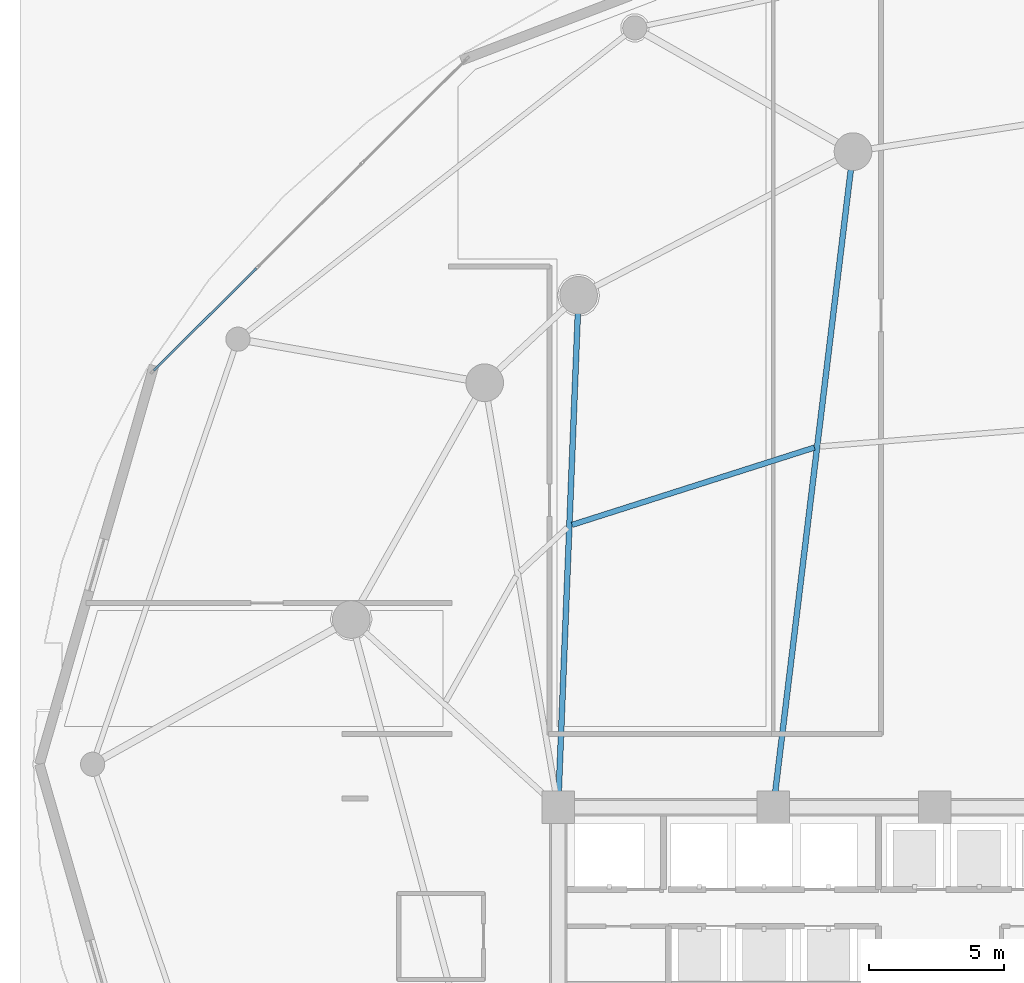
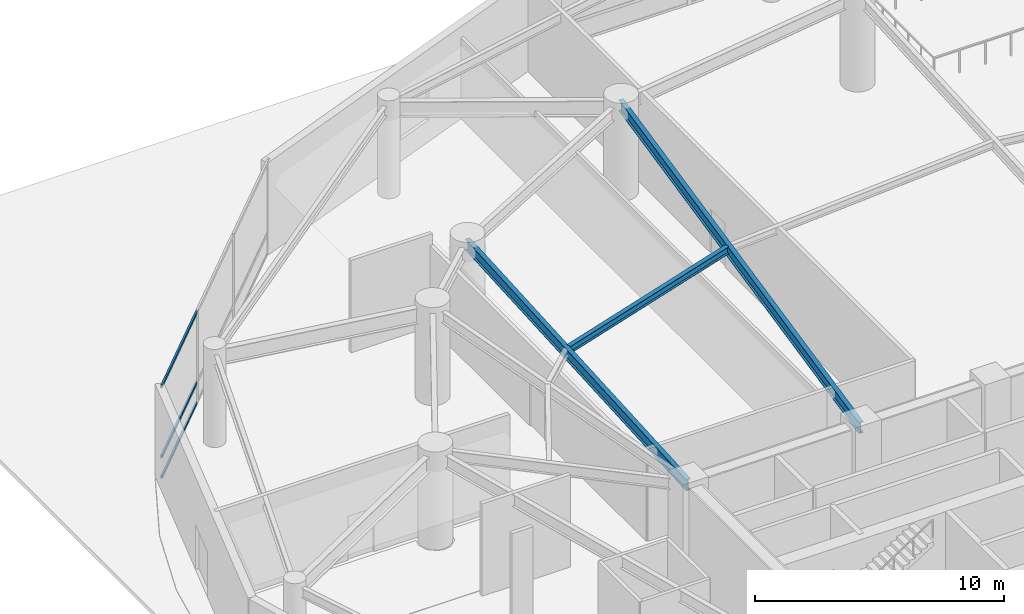
# One storey, part 7 of 35: 3 beams, 3 members, 1 element without a shape of its own.
"""IFC4 building model written with IfcOpenShell, lengths in metres."""

import ifcopenshell
import ifcopenshell.guid

model = None  # the IFC model being written
_history = None  # IfcOwnerHistory: only IFC2X3 demands one
_inside = {}  # id of a spatial element -> (the spatial element, [elements in it])
_under = {}  # id of a project, library or spatial element -> (it, [spatial elements below it])
_declared = {}  # id of a project -> (the project, [libraries it declares])
_typed = {}  # id of a type object -> (the type object, [elements of that type])
_made_of = {}  # id of a material, layer set ... -> (it, [elements and type objects made of it])


def new_model(schema):
    """Start an empty IFC model of exactly this schema.

    Asked for "IFC4X3", IfcOpenShell would pick the latest addendum, in which some entities
    have other attributes; the version numbers below select the first issue.
    IFC2X3 requires an IfcOwnerHistory on every rooted entity: one is made here for all.
    """
    global model, _history
    if schema == "IFC4X3":
        model = ifcopenshell.file(schema_version=(4, 3, 0, 0))
    else:
        model = ifcopenshell.file(schema=schema)
    _inside.clear()
    _under.clear()
    _declared.clear()
    _typed.clear()
    _made_of.clear()
    _history = None
    if model.schema == "IFC2X3":
        org = make("IfcOrganization", Name="unknown")
        user = make(
            "IfcPersonAndOrganization",
            ThePerson=make("IfcPerson", FamilyName="unknown"),
            TheOrganization=org,
        )
        app = make(
            "IfcApplication",
            ApplicationDeveloper=org,
            Version="unknown",
            ApplicationFullName="unknown",
            ApplicationIdentifier="unknown",
        )
        _history = make(
            "IfcOwnerHistory",
            OwningUser=user,
            OwningApplication=app,
            ChangeAction="ADDED",
            CreationDate=0,
        )
    return model


def make(cls, **values):
    """One entity of the class cls with the attributes given. An attribute that is None is left unset."""
    return model.create_entity(
        cls, **{name: value for name, value in values.items() if value is not None}
    )


def rooted(cls, **values):
    """An entity with a GlobalId (a new one), such as an element, a storey or a relation."""
    return make(cls, GlobalId=ifcopenshell.guid.new(), OwnerHistory=_history, **values)


def si_unit(unit_type, name, prefix=None):
    """IfcSIUnit, for example si_unit("LENGTHUNIT", "METRE", prefix="MILLI")."""
    return make("IfcSIUnit", UnitType=unit_type, Prefix=prefix, Name=name)


def assignment(units):
    """IfcUnitAssignment: the units of a project."""
    return None if units is None else make("IfcUnitAssignment", Units=units)


def point(xyz):
    """IfcCartesianPoint."""
    return None if xyz is None else make("IfcCartesianPoint", Coordinates=xyz)


def direction(xyz):
    """IfcDirection."""
    return None if xyz is None else make("IfcDirection", DirectionRatios=xyz)


def frame(location, z_axis=None, x_axis=None):
    """IfcAxis2Placement3D, a coordinate frame: its origin and axes. An axis left out is left unset."""
    return make(
        "IfcAxis2Placement3D",
        Location=point(location),
        Axis=direction(z_axis),
        RefDirection=direction(x_axis),
    )


def frame_2d(location, x_axis=None):
    """IfcAxis2Placement2D, a coordinate frame in the plane: its origin and x axis."""
    return make(
        "IfcAxis2Placement2D", Location=point(location), RefDirection=direction(x_axis)
    )


def origin():
    """The frame at (0, 0, 0) with its axes left unset."""
    return frame((0.0, 0.0, 0.0))


def origin_2d():
    """The frame at (0, 0) in the plane with its x axis left unset."""
    return frame_2d((0.0, 0.0))


def place(relative_to, where):
    """IfcLocalPlacement: puts the frame where relative to a parent placement (None: the world)."""
    return make(
        "IfcLocalPlacement", PlacementRelTo=relative_to, RelativePlacement=where
    )


def context(
    kind, dimensions, precision=None, world=None, true_north=None, identifier=None
):
    """IfcGeometricRepresentationContext, for example the 3D "Model" context."""
    return make(
        "IfcGeometricRepresentationContext",
        ContextIdentifier=identifier,
        ContextType=kind,
        CoordinateSpaceDimension=dimensions,
        Precision=precision,
        WorldCoordinateSystem=world,
        TrueNorth=true_north,
    )


def subcontext(parent, identifier, kind, view, scale=None):
    """IfcGeometricRepresentationSubContext, for example "Body" below "Model"."""
    return make(
        "IfcGeometricRepresentationSubContext",
        ContextIdentifier=identifier,
        ContextType=kind,
        ParentContext=parent,
        TargetScale=scale,
        TargetView=view,
    )


def project(units=None, contexts=None):
    """IfcProject with its units and contexts."""
    return rooted(
        "IfcProject",
        Name="project",
        RepresentationContexts=contexts,
        UnitsInContext=assignment(units),
    )


def spatial(cls, under=None, at=None, **own):
    """A site, building, storey or space (cls), placed at a placement, below another one or the project."""
    s = rooted(cls, ObjectPlacement=at, **own)
    if under is not None:
        _under.setdefault(under.id(), (under, []))[1].append(s)
    return s


def profile(cls, at=None, kind="AREA", **sizes):
    """A parametric profile (cls). Its sizes go by their IFC names, for example OverallWidth=200.0."""
    return make(cls, ProfileType=kind, Position=at, **sizes)


def hollow_rectangle(**sizes):
    """IfcRectangleHollowProfileDef."""
    return profile("IfcRectangleHollowProfileDef", **sizes)


def i_section(**sizes):
    """IfcIShapeProfileDef."""
    return profile("IfcIShapeProfileDef", **sizes)


def extrude(swept, where, along, depth):
    """IfcExtrudedAreaSolid: the profile swept, set in the frame where, extruded along a direction by depth."""
    return make(
        "IfcExtrudedAreaSolid",
        SweptArea=swept,
        Position=where,
        ExtrudedDirection=direction(along),
        Depth=depth,
    )


def shape(context_of_items, identifier, shape_type, items):
    """IfcShapeRepresentation: the items that make up one representation, for example the "Body"."""
    return make(
        "IfcShapeRepresentation",
        ContextOfItems=context_of_items,
        RepresentationIdentifier=identifier,
        RepresentationType=shape_type,
        Items=items,
    )


def material(Name=None, Category=None):
    """IfcMaterial."""
    return make("IfcMaterial", Name=Name, Category=Category)


def layer(
    of_material, thickness, ventilated=None, Name=None, Category=None, Priority=None
):
    """IfcMaterialLayer: one layer of a wall or slab, of a material (None: an air gap)."""
    return make(
        "IfcMaterialLayer",
        Material=of_material,
        LayerThickness=thickness,
        IsVentilated=ventilated,
        Name=Name,
        Category=Category,
        Priority=Priority,
    )


def layer_set(layers, Name=None):
    """IfcMaterialLayerSet."""
    return make("IfcMaterialLayerSet", MaterialLayers=layers, LayerSetName=Name)


def material_profile(
    of_material, cross_section, Name=None, Category=None, Priority=None
):
    """IfcMaterialProfile: a cross section and its material."""
    return make(
        "IfcMaterialProfile",
        Name=Name,
        Material=of_material,
        Profile=cross_section,
        Priority=Priority,
        Category=Category,
    )


def profile_set(profiles, Name=None, composite=None):
    """IfcMaterialProfileSet."""
    return make(
        "IfcMaterialProfileSet",
        Name=Name,
        MaterialProfiles=profiles,
        CompositeProfile=composite,
    )


def made_of(thing, what):
    """Note that an element or type object is made of a material, layer set ...; save() writes the relation."""
    if what is not None:
        _made_of.setdefault(what.id(), (what, []))[1].append(thing)
    return thing


def type_object(cls, material=None, **own):
    """A type object (cls), such as IfcWallType, which elements share."""
    return made_of(rooted(cls, **own), material)


def element(
    cls,
    number,
    at=None,
    inside=None,
    cuts=None,
    type_object=None,
    material=None,
    context=None,
    identifier="Body",
    shape_type=None,
    held_by="IfcProductDefinitionShape",
    body=None,
    shapes=None,
    **own,
):
    """One element of the class cls, such as IfcWall. Its Tag is "e" and its number.

    at: its placement. inside: the storey or other place that contains it. cuts: it is an
    opening in that element (IfcRelVoidsElement). A single representation is given by context,
    identifier, shape_type and body (its items); several are given by shapes. held_by: the class
    of the entity that holds the representations. save() writes the other relations.
    """
    e = rooted(cls, Tag="e%d" % number, ObjectPlacement=at, **own)
    if body is not None:
        shapes = [shape(context, identifier, shape_type, body)]
    if shapes is not None:
        e.Representation = make(held_by, Representations=shapes)
    if inside is not None:
        _inside.setdefault(inside.id(), (inside, []))[1].append(e)
    if cuts is not None:
        rooted(
            "IfcRelVoidsElement", RelatingBuildingElement=cuts, RelatedOpeningElement=e
        )
    if type_object is not None:
        _typed.setdefault(type_object.id(), (type_object, []))[1].append(e)
    return made_of(e, material)


def aggregate(whole, parts):
    """IfcRelAggregates: a whole, such as a stair, and the parts it consists of."""
    return rooted("IfcRelAggregates", RelatingObject=whole, RelatedObjects=parts)


def save(model, path):
    """Write the relations noted so far, then the file.

    IfcRelAggregates (storeys below a building ...), IfcRelContainedInSpatialStructure (elements
    in a storey), IfcRelDefinesByType, IfcRelAssociatesMaterial and IfcRelDeclares: one each for
    every whole, place, type object, material and project.
    """
    for whole, parts in _under.values():
        aggregate(whole, parts)
    for where, things in _inside.values():
        rooted(
            "IfcRelContainedInSpatialStructure",
            RelatedElements=things,
            RelatingStructure=where,
        )
    for kind, things in _typed.values():
        rooted("IfcRelDefinesByType", RelatedObjects=things, RelatingType=kind)
    for what, things in _made_of.values():
        rooted("IfcRelAssociatesMaterial", RelatedObjects=things, RelatingMaterial=what)
    for by, libraries in _declared.values():
        rooted("IfcRelDeclares", RelatingContext=by, RelatedDefinitions=libraries)
    model.write(path)


model = new_model("IFC4")

# Units and contexts
model_context = context("Model", 3, precision=1e-05, world=origin(), true_north=direction((0.0, 1.0)))
body_context = subcontext(model_context, "Body", "Model", "MODEL_VIEW")
ifc_project = project(units=[si_unit("LENGTHUNIT", "METRE"), si_unit("AREAUNIT", "SQUARE_METRE"), si_unit("VOLUMEUNIT", "CUBIC_METRE"), si_unit("PLANEANGLEUNIT", "RADIAN"), si_unit("MASSUNIT", "GRAM", prefix="KILO")], contexts=[model_context])

# Site, building, storey
site_placement = place(None, origin())
site = spatial("IfcSite", under=ifc_project, at=site_placement, CompositionType="ELEMENT")
building_placement = place(site_placement, origin())
building = spatial("IfcBuilding", under=site, at=building_placement, Name="Kazevale Care Tower and Concert Hall", CompositionType="ELEMENT")
storey_placement = place(building_placement, origin())
storey = spatial("IfcBuildingStorey", under=building, at=storey_placement, Name="L00", CompositionType="ELEMENT", Elevation=0.0)

# Curtain wall, members
ifc_material_1 = material(Name="Aluminium 6063-T6 and Low-E Glass", Category="aluminium")
ifc_layer = layer(ifc_material_1, 0.179931640625)
ifc_layer_set = layer_set([ifc_layer], Name="Aluminium 6063-T6 and Low-E Glass")
curtain_wall_type = type_object("IfcCurtainWallType", Name="Podium Double-Skin Medical Curtain Wall CW-1", PredefinedType="NOTDEFINED", material=ifc_layer_set)
curtain_wall_placement = place(storey_placement, origin())
curtain_wall = element("IfcCurtainWall", 1, at=curtain_wall_placement, inside=storey, type_object=curtain_wall_type, Name="cw:L00:pod:06", PredefinedType="NOTDEFINED")
ifc_material_2 = material(Name="Aluminium 6063-T6", Category="aluminium")
ifc_material_profile_1 = material_profile(ifc_material_2, hollow_rectangle(XDim=0.080078125, YDim=0.139892578125, WallThickness=0.00390625, at=origin_2d()), Name="ALU80x140x4")
ifc_profile_set_1 = profile_set([ifc_material_profile_1], Name="Aluminium 6063-T6")
member_type = type_object("IfcMemberType", Name="CW-1 Transom ALU80x140x4", PredefinedType="USERDEFINED", material=ifc_profile_set_1)
member_1_placement = place(storey_placement, frame((10.785888671875, 56.432861328125, 0.0400390625), z_axis=(-0.708578901075, -0.705631590103, 0.0), x_axis=(0.705631590103, -0.708578901075, 0.0)))
member_1 = element("IfcMember", 2, at=member_1_placement, type_object=member_type, Name="CW-1 transom 3.1", ObjectType="TRANSOM", PredefinedType="USERDEFINED", context=body_context, shape_type="SweptSolid", body=[
    extrude(hollow_rectangle(XDim=0.080078125, YDim=0.139892578125, WallThickness=0.00390625, at=origin_2d()), origin(), (0.0, 0.0, 1.0), 5.38427734375),
])
member_2_placement = place(storey_placement, frame((10.785888671875, 56.432861328125, 1.050048828125), z_axis=(-0.708578901075, -0.705631590103, 0.0), x_axis=(0.705631590103, -0.708578901075, 0.0)))
member_2 = element("IfcMember", 3, at=member_2_placement, type_object=member_type, Name="CW-1 transom 3.2", ObjectType="TRANSOM", PredefinedType="USERDEFINED", context=body_context, shape_type="SweptSolid", body=[
    extrude(hollow_rectangle(XDim=0.080078125, YDim=0.139892578125, WallThickness=0.00390625, at=origin_2d()), origin(), (0.0, 0.0, 1.0), 5.38427734375),
])
member_3_placement = place(storey_placement, frame((10.785888671875, 56.432861328125, 4.47998046875), z_axis=(-0.708578901075, -0.705631590103, 0.0), x_axis=(0.705631590103, -0.708578901075, 0.0)))
member_3 = element("IfcMember", 4, at=member_3_placement, type_object=member_type, Name="CW-1 transom 3.3", ObjectType="TRANSOM", PredefinedType="USERDEFINED", context=body_context, shape_type="SweptSolid", body=[
    extrude(hollow_rectangle(XDim=0.080078125, YDim=0.139892578125, WallThickness=0.00390625, at=origin_2d()), origin(), (0.0, 0.0, 1.0), 5.38427734375),
])
aggregate(curtain_wall, [member_1, member_2, member_3])

# Beams
ifc_material_3 = material(Name="Steel ASTM A572 Gr 50", Category="steel")
ifc_material_profile_2 = material_profile(ifc_material_3, i_section(OverallWidth=0.2119140625, OverallDepth=0.5439453125, WebThickness=0.01318359375, FlangeThickness=0.021240234375, at=origin_2d()), Name="W530x123")
ifc_profile_set_2 = profile_set([ifc_material_profile_2], Name="Steel ASTM A572 Gr 50")
beam_type_1 = type_object("IfcBeamType", Name="Radial Floor Girder W530x123", PredefinedType="BEAM", material=ifc_profile_set_2)
beam_1_placement = place(storey_placement, frame((30.0, 36.39990234375, 4.248046875), z_axis=(0.120572526662, 0.9927045209, 0.0), x_axis=(-0.9927045209, 0.120572526662, 0.0)))
element("IfcBeam", 5, at=beam_1_placement, inside=storey, type_object=beam_type_1, Name="beam:L00:rad:06", PredefinedType="BEAM", context=body_context, shape_type="SweptSolid", body=[
    extrude(i_section(OverallWidth=0.2119140625, OverallDepth=0.5439453125, WebThickness=0.01318359375, FlangeThickness=0.021240234375, at=origin_2d()), origin(), (0.0, 0.0, 1.0), 24.54931640625),
])
beam_2_placement = place(storey_placement, frame((22.0, 36.39990234375, 4.248046875), z_axis=(0.039905581428, 0.999203455044, 0.0), x_axis=(-0.999203455044, 0.039905581428, 0.0)))
element("IfcBeam", 6, at=beam_2_placement, inside=storey, type_object=beam_type_1, Name="beam:L00:rad:07", PredefinedType="BEAM", context=body_context, shape_type="SweptSolid", body=[
    extrude(i_section(OverallWidth=0.2119140625, OverallDepth=0.5439453125, WebThickness=0.01318359375, FlangeThickness=0.021240234375, at=origin_2d()), origin(), (0.0, 0.0, 1.0), 19.045166015625),
])
ifc_material_profile_3 = material_profile(ifc_material_3, i_section(OverallWidth=0.205078125, OverallDepth=0.35400390625, WebThickness=0.009521484375, FlangeThickness=0.016845703125, at=origin_2d()), Name="W360x79")
ifc_profile_set_3 = profile_set([ifc_material_profile_3], Name="Steel ASTM A572 Gr 50")
beam_type_2 = type_object("IfcBeamType", Name="Secondary Floor Joist W360x79", PredefinedType="JOIST", material=ifc_profile_set_3)
beam_3_placement = place(storey_placement, frame((31.528076171875, 49.77197265625, 4.343017578125), z_axis=(-0.9527054955, -0.303895111584, 0.0), x_axis=(0.303895111584, -0.9527054955, 0.0)))
element("IfcBeam", 7, at=beam_3_placement, inside=storey, type_object=beam_type_2, Name="beam:L00:joist:06", PredefinedType="JOIST", context=body_context, shape_type="SweptSolid", body=[
    extrude(i_section(OverallWidth=0.205078125, OverallDepth=0.35400390625, WebThickness=0.009521484375, FlangeThickness=0.016845703125, at=origin_2d()), origin(), (0.0, 0.0, 1.0), 9.457275390625),
])

save(model, "model.ifc")
